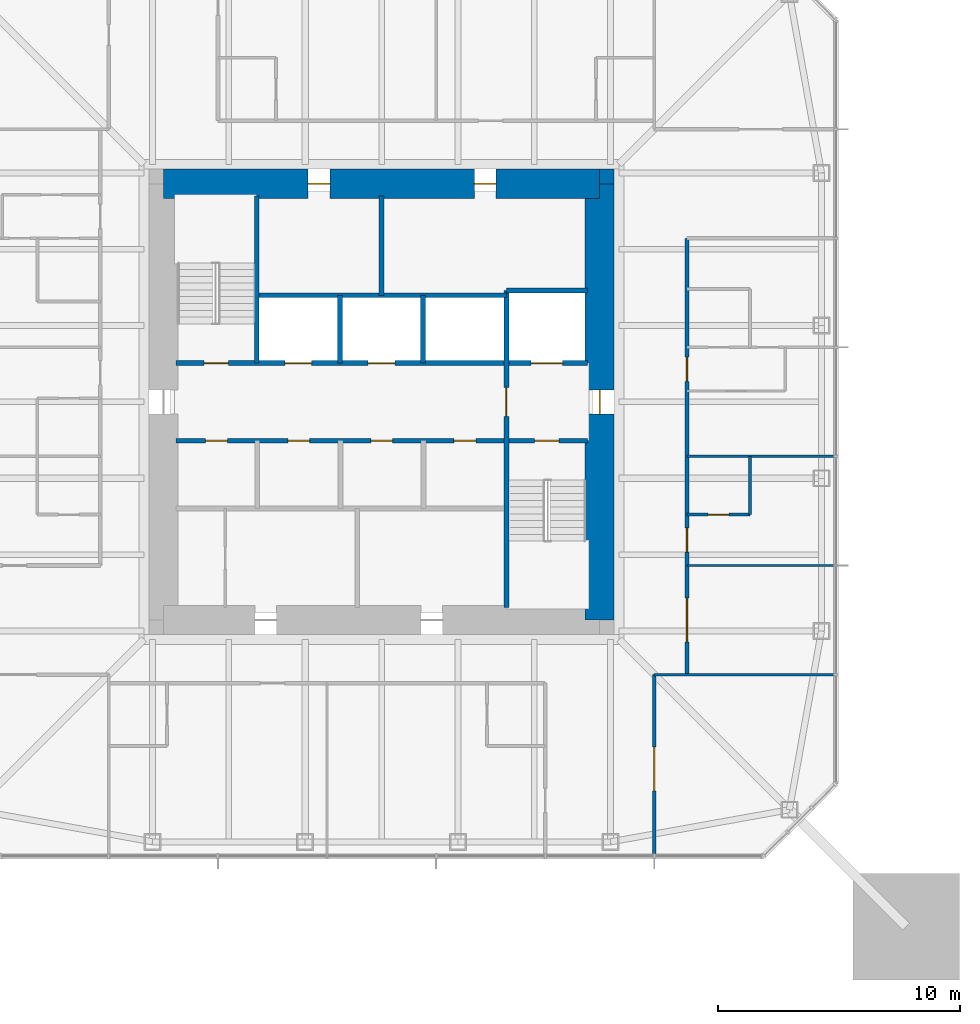
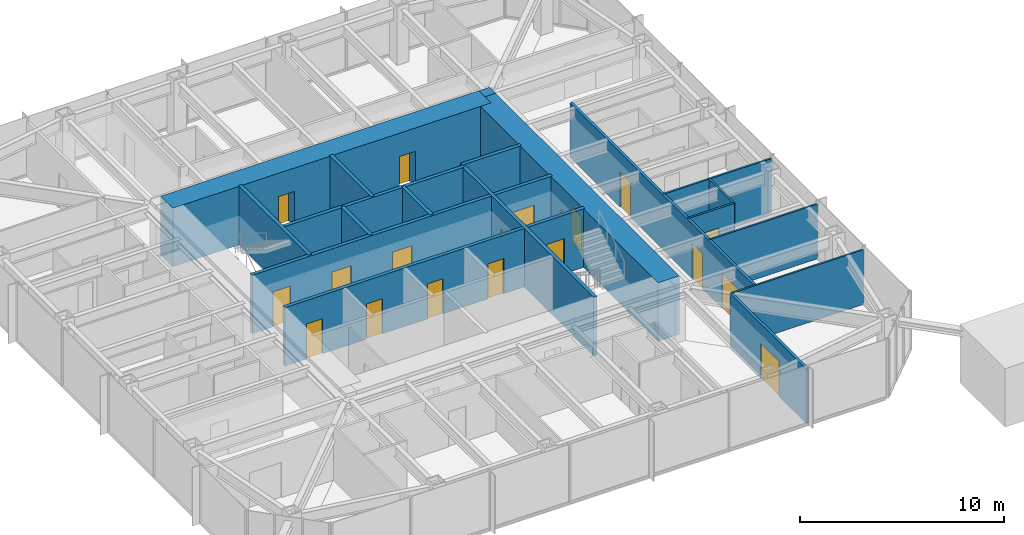
# One storey, part 7 of 11: 19 walls, 18 doors, 18 openings.
"""IFC4 building model written with IfcOpenShell, lengths in metres."""

from ifc_helpers import new_model, si_unit, direction, frame, frame_2d, origin, place, context, subcontext, project, spatial, rectangle, extrude, material, layer, layer_set, type_object, element, fill, save


model = new_model("IFC4")

# Units and contexts
model_context = context("Model", 3, precision=1e-05, world=origin(), true_north=direction((0.0, 1.0)))
body_context = subcontext(model_context, "Body", "Model", "MODEL_VIEW")
ifc_project = project(units=[si_unit("LENGTHUNIT", "METRE"), si_unit("AREAUNIT", "SQUARE_METRE"), si_unit("VOLUMEUNIT", "CUBIC_METRE"), si_unit("PLANEANGLEUNIT", "RADIAN"), si_unit("MASSUNIT", "GRAM", prefix="KILO")], contexts=[model_context])

# Site, building, storey
site_placement = place(None, origin())
site = spatial("IfcSite", under=ifc_project, at=site_placement, CompositionType="ELEMENT")
building_placement = place(site_placement, origin())
building = spatial("IfcBuilding", under=site, at=building_placement, Name="Iwan Alto Co-Living Towers", CompositionType="ELEMENT")
storey_placement = place(building_placement, frame((0.0, 0.0, 202.0)))
storey = spatial("IfcBuildingStorey", under=building, at=storey_placement, Name="L55", CompositionType="ELEMENT", Elevation=202.0)

# Wall, openings, doors
ifc_material_1 = material(Name="Gypsum board")
ifc_layer_1 = layer(ifc_material_1, 0.02490234375, Name="Board", Category="Finish")
ifc_material_2 = material(Name="Steel ASTM A1003 ST33H cold-formed studs", Category="steel")
ifc_layer_2 = layer(ifc_material_2, 0.10009765625, Name="Studs", Category="Framing")
ifc_layer_3 = layer(ifc_material_1, 0.02490234375, Name="Board", Category="Finish")
ifc_layer_set_1 = layer_set([ifc_layer_1, ifc_layer_2, ifc_layer_3], Name="CORRIDOR WALL 150")
wall_type_1 = type_object("IfcWallType", Name="CORRIDOR WALL 150", PredefinedType="PARTITIONING", material=ifc_layer_set_1)
wall_1_placement = place(storey_placement, frame((12.60009765625, -11.25, 0.0), z_axis=(0.0, 0.0, 1.0), x_axis=(0.0, 1.0, 0.0)))
wall_1 = element("IfcWall", 1, at=wall_1_placement, inside=storey, type_object=wall_type_1, Name="Partition L55", PredefinedType="PARTITIONING", context=body_context, shape_type="SweptSolid", body=[
    extrude(rectangle(XDim=18.0, YDim=0.14990234375, at=frame_2d((9.0, 0.0))), origin(), (0.0, 0.0, 1.0), 3.27001953125),
])
opening_1_placement = place(wall_1_placement, frame((1.35009765625, 0.0, 0.0)))
opening_1 = element("IfcOpeningElement", 2, at=opening_1_placement, cuts=wall_1, Name="Opening D9", PredefinedType="OPENING", context=body_context, shape_type="SweptSolid", body=[
    extrude(rectangle(XDim=1.800048828125, YDim=2.10009765625, at=frame_2d((0.89990234375, 1.050048828125))), frame((0.0, 0.0849609375, 0.0), z_axis=(0.0, -1.0, 0.0), x_axis=(1.0, 0.0, 0.0)), (0.0, 0.0, 1.0), 0.169921875),
])
opening_2_placement = place(wall_1_placement, frame((5.050048828125, 0.0, 0.0)))
opening_2 = element("IfcOpeningElement", 3, at=opening_2_placement, cuts=wall_1, Name="Opening D3", PredefinedType="OPENING", context=body_context, shape_type="SweptSolid", body=[
    extrude(rectangle(XDim=1.0, YDim=2.10009765625, at=frame_2d((0.5, 1.050048828125))), frame((0.0, 0.0849609375, 0.0), z_axis=(0.0, -1.0, 0.0), x_axis=(1.0, 0.0, 0.0)), (0.0, 0.0, 1.0), 0.169921875),
])
opening_3_placement = place(wall_1_placement, frame((12.10009765625, 0.0, 0.0)))
opening_3 = element("IfcOpeningElement", 4, at=opening_3_placement, cuts=wall_1, Name="Opening D3", PredefinedType="OPENING", context=body_context, shape_type="SweptSolid", body=[
    extrude(rectangle(XDim=1.0, YDim=2.10009765625, at=frame_2d((0.5, 1.050048828125))), frame((0.0, 0.0849609375, 0.0), z_axis=(0.0, -1.0, 0.0), x_axis=(1.0, 0.0, 0.0)), (0.0, 0.0, 1.0), 0.169921875),
])
ifc_material_3 = material(Name="Steel frame with timber leaf", Category="steel")
door_type_1 = type_object("IfcDoorType", Name="FLAT ENTRANCE DOOR FD30S 1000X2100", OperationType="SINGLE_SWING_LEFT", PredefinedType="DOOR", material=ifc_material_3)
door_1_placement = place(opening_2_placement, frame((1.0, 0.0, 0.0), z_axis=(0.0, 0.0, 1.0), x_axis=(-1.0, 0.0, 0.0)))
door_1 = element("IfcDoor", 5, at=door_1_placement, inside=storey, type_object=door_type_1, Name="Studio door L55", OperationType="SINGLE_SWING_RIGHT", OverallHeight=2.10009765625, OverallWidth=1.0, PredefinedType="DOOR", context=body_context, shape_type="SweptSolid", body=[
    extrude(rectangle(XDim=1.0, YDim=2.10009765625, at=frame_2d((0.5, 1.050048828125))), frame((0.0, 0.02490234375, 0.0), z_axis=(0.0, -1.0, 0.0), x_axis=(1.0, 0.0, 0.0)), (0.0, 0.0, 1.0), 0.050048828125),
])
fill(opening_2, door_1)
door_2_placement = place(opening_3_placement, frame((1.0, 0.0, 0.0), z_axis=(0.0, 0.0, 1.0), x_axis=(-1.0, 0.0, 0.0)))
door_2 = element("IfcDoor", 6, at=door_2_placement, inside=storey, type_object=door_type_1, Name="Apartment foyer door L55", OperationType="SINGLE_SWING_RIGHT", OverallHeight=2.10009765625, OverallWidth=1.0, PredefinedType="DOOR", context=body_context, shape_type="SweptSolid", body=[
    extrude(rectangle(XDim=1.0, YDim=2.10009765625, at=frame_2d((0.5, 1.050048828125))), frame((0.0, 0.02490234375, 0.0), z_axis=(0.0, -1.0, 0.0), x_axis=(1.0, 0.0, 0.0)), (0.0, 0.0, 1.0), 0.050048828125),
])
fill(opening_3, door_2)
ifc_material_4 = material(Name="Steel frame with timber leaf", Category="steel")
door_type_2 = type_object("IfcDoorType", Name="LOUNGE DOOR FD30S 1800X2100", OperationType="DOUBLE_DOOR_SINGLE_SWING", PredefinedType="DOOR", material=ifc_material_4)
door_3_placement = place(opening_1_placement, frame((1.800048828125, 0.0, 0.0), z_axis=(0.0, 0.0, 1.0), x_axis=(-1.0, 0.0, 0.0)))
door_3 = element("IfcDoor", 7, at=door_3_placement, inside=storey, type_object=door_type_2, Name="Teaching kitchen door L55", OperationType="DOUBLE_DOOR_SINGLE_SWING", OverallHeight=2.10009765625, OverallWidth=1.800048828125, PredefinedType="DOOR", context=body_context, shape_type="SweptSolid", body=[
    extrude(rectangle(XDim=1.800048828125, YDim=2.10009765625, at=frame_2d((0.89990234375, 1.050048828125))), frame((0.0, 0.02490234375, 0.0), z_axis=(0.0, -1.0, 0.0), x_axis=(1.0, 0.0, 0.0)), (0.0, 0.0, 1.0), 0.050048828125),
])
fill(opening_1, door_3)

# Wall, opening, door
wall_2_placement = place(storey_placement, frame((11.25, -18.68994140625, 0.0), z_axis=(0.0, 0.0, 1.0), x_axis=(0.0, 1.0, 0.0)))
wall_2 = element("IfcWall", 8, at=wall_2_placement, inside=storey, type_object=wall_type_1, Name="Partition L55", PredefinedType="PARTITIONING", context=body_context, shape_type="SweptSolid", body=[
    extrude(rectangle(XDim=7.43994140625, YDim=0.14990234375, at=frame_2d((3.719970703125, 0.0))), origin(), (0.0, 0.0, 1.0), 3.27001953125),
])
opening_4_placement = place(wall_2_placement, frame((2.64501953125, 0.0, 0.0)))
opening_4 = element("IfcOpeningElement", 9, at=opening_4_placement, cuts=wall_2, Name="Opening D9", PredefinedType="OPENING", context=body_context, shape_type="SweptSolid", body=[
    extrude(rectangle(XDim=1.800048828125, YDim=2.10009765625, at=frame_2d((0.89990234375, 1.050048828125))), frame((0.0, 0.0849609375, 0.0), z_axis=(0.0, -1.0, 0.0), x_axis=(1.0, 0.0, 0.0)), (0.0, 0.0, 1.0), 0.169921875),
])
door_4_placement = place(opening_4_placement, frame((1.800048828125, 0.0, 0.0), z_axis=(0.0, 0.0, 1.0), x_axis=(-1.0, 0.0, 0.0)))
door_4 = element("IfcDoor", 10, at=door_4_placement, inside=storey, type_object=door_type_2, Name="Courtyard lounge door L55", OperationType="DOUBLE_DOOR_SINGLE_SWING", OverallHeight=2.10009765625, OverallWidth=1.800048828125, PredefinedType="DOOR", context=body_context, shape_type="SweptSolid", body=[
    extrude(rectangle(XDim=1.800048828125, YDim=2.10009765625, at=frame_2d((0.89990234375, 1.050048828125))), frame((0.0, 0.02490234375, 0.0), z_axis=(0.0, -1.0, 0.0), x_axis=(1.0, 0.0, 0.0)), (0.0, 0.0, 1.0), 0.050048828125),
])
fill(opening_4, door_4)

# Walls
ifc_layer_4 = layer(ifc_material_1, 0.012451171875, Name="Board", Category="Finish")
ifc_layer_5 = layer(ifc_material_2, 0.074951171875, Name="Studs", Category="Framing")
ifc_layer_6 = layer(ifc_material_1, 0.012451171875, Name="Board", Category="Finish")
ifc_layer_set_2 = layer_set([ifc_layer_4, ifc_layer_5, ifc_layer_6], Name="PARTITION 100")
wall_type_2 = type_object("IfcWallType", Name="PARTITION 100", PredefinedType="PARTITIONING", material=ifc_layer_set_2)
wall_3_placement = place(storey_placement, frame((11.25, -11.25, 0.0), z_axis=(0.0, 0.0, 1.0), x_axis=(1.0, 0.0, 0.0)))
element("IfcWall", 11, at=wall_3_placement, inside=storey, type_object=wall_type_2, Name="Partition L55", PredefinedType="PARTITIONING", context=body_context, shape_type="SweptSolid", body=[
    extrude(rectangle(XDim=7.43994140625, YDim=0.10009765625, at=frame_2d((3.719970703125, 0.0))), origin(), (0.0, 0.0, 1.0), 3.27001953125),
])
for number, where, z_axis, x_axis, name in (
    (12, (12.60009765625, -6.75, 0.0), (0.0, 0.0, 1.0), (1.0, 0.0, 0.0), "Partition L55"),
    (13, (12.60009765625, -2.25, 0.0), (0.0, 0.0, 1.0), (1.0, 0.0, 0.0), "Partition L55"),
):
    element("IfcWall", number, at=place(storey_placement, frame(where, z_axis=z_axis, x_axis=x_axis)), inside=storey, type_object=wall_type_2, Name=name, PredefinedType="PARTITIONING", context=body_context, shape_type="SweptSolid", body=[
        extrude(rectangle(XDim=6.08984375, YDim=0.10009765625, at=frame_2d((3.044921875, 0.0))), origin(), (0.0, 0.0, 1.0), 3.27001953125),
    ])

# Wall, openings, doors
ifc_material_5 = material(Name="Concrete f'c 70 MPa", Category="concrete")
ifc_layer_7 = layer(ifc_material_5, 0.199951171875)
ifc_layer_set_3 = layer_set([ifc_layer_7], Name="SHAFT WALL 200")
wall_type_3 = type_object("IfcWallType", Name="SHAFT WALL 200", PredefinedType="SOLIDWALL", material=ifc_layer_set_3)
wall_4_placement = place(storey_placement, frame((-8.489990234375, -1.60009765625, 0.0), z_axis=(0.0, 0.0, 1.0), x_axis=(1.0, 0.0, 0.0)))
wall_4 = element("IfcWall", 14, at=wall_4_placement, inside=storey, type_object=wall_type_3, Name="Shaft wall L55", PredefinedType="SOLIDWALL", context=body_context, shape_type="SweptSolid", body=[
    extrude(rectangle(XDim=16.97998046875, YDim=0.199951171875, at=frame_2d((8.489990234375, 0.0))), origin(), (0.0, 0.0, 1.0), 3.5),
])
opening_5_placement = place(wall_4_placement, frame((14.81005859375, 0.0, 0.0)))
opening_5 = element("IfcOpeningElement", 15, at=opening_5_placement, cuts=wall_4, Name="Opening D5", PredefinedType="OPENING", context=body_context, shape_type="SweptSolid", body=[
    extrude(rectangle(XDim=1.0, YDim=2.10009765625, at=frame_2d((0.5, 1.050048828125))), frame((0.0, 0.10986328125, 0.0), z_axis=(0.0, -1.0, 0.0), x_axis=(1.0, 0.0, 0.0)), (0.0, 0.0, 1.0), 0.219970703125),
])
opening_6_placement = place(wall_4_placement, frame((1.23193359375, 0.0, 0.0)))
opening_6 = element("IfcOpeningElement", 16, at=opening_6_placement, cuts=wall_4, Name="Opening D15", PredefinedType="OPENING", context=body_context, shape_type="SweptSolid", body=[
    extrude(rectangle(XDim=0.89990234375, YDim=2.10009765625, at=frame_2d((0.449951171875, 1.050048828125))), frame((0.0, 0.10986328125, 0.0), z_axis=(0.0, -1.0, 0.0), x_axis=(1.0, 0.0, 0.0)), (0.0, 0.0, 1.0), 0.219970703125),
])
opening_7_placement = place(wall_4_placement, frame((4.626953125, 0.0, 0.0)))
opening_7 = element("IfcOpeningElement", 17, at=opening_7_placement, cuts=wall_4, Name="Opening D15", PredefinedType="OPENING", context=body_context, shape_type="SweptSolid", body=[
    extrude(rectangle(XDim=0.89990234375, YDim=2.10009765625, at=frame_2d((0.449951171875, 1.050048828125))), frame((0.0, 0.10986328125, 0.0), z_axis=(0.0, -1.0, 0.0), x_axis=(1.0, 0.0, 0.0)), (0.0, 0.0, 1.0), 0.219970703125),
])
opening_8_placement = place(wall_4_placement, frame((8.052001953125, 0.0, 0.0)))
opening_8 = element("IfcOpeningElement", 18, at=opening_8_placement, cuts=wall_4, Name="Opening D15", PredefinedType="OPENING", context=body_context, shape_type="SweptSolid", body=[
    extrude(rectangle(XDim=0.89990234375, YDim=2.10009765625, at=frame_2d((0.449951171875, 1.050048828125))), frame((0.0, 0.10986328125, 0.0), z_axis=(0.0, -1.0, 0.0), x_axis=(1.0, 0.0, 0.0)), (0.0, 0.0, 1.0), 0.219970703125),
])
opening_9_placement = place(wall_4_placement, frame((11.47802734375, 0.0, 0.0)))
opening_9 = element("IfcOpeningElement", 19, at=opening_9_placement, cuts=wall_4, Name="Opening D15", PredefinedType="OPENING", context=body_context, shape_type="SweptSolid", body=[
    extrude(rectangle(XDim=0.89990234375, YDim=2.10009765625, at=frame_2d((0.449951171875, 1.050048828125))), frame((0.0, 0.10986328125, 0.0), z_axis=(0.0, -1.0, 0.0), x_axis=(1.0, 0.0, 0.0)), (0.0, 0.0, 1.0), 0.219970703125),
])
ifc_material_6 = material(Name="Steel frame with timber leaf", Category="steel")
door_type_3 = type_object("IfcDoorType", Name="CORE ROOM DOOR FD60S 900X2100", OperationType="SINGLE_SWING_LEFT", PredefinedType="DOOR", material=ifc_material_6)
door_5_placement = place(opening_6_placement, frame((0.89990234375, 0.0, 0.0), z_axis=(0.0, 0.0, 1.0), x_axis=(-1.0, 0.0, 0.0)))
door_5 = element("IfcDoor", 20, at=door_5_placement, inside=storey, type_object=door_type_3, Name="Linen store door L55", OperationType="SINGLE_SWING_LEFT", OverallHeight=2.10009765625, OverallWidth=0.89990234375, PredefinedType="DOOR", context=body_context, shape_type="SweptSolid", body=[
    extrude(rectangle(XDim=0.89990234375, YDim=2.10009765625, at=frame_2d((0.449951171875, 1.050048828125))), frame((0.0, 0.02490234375, 0.0), z_axis=(0.0, -1.0, 0.0), x_axis=(1.0, 0.0, 0.0)), (0.0, 0.0, 1.0), 0.050048828125),
])
fill(opening_6, door_5)
door_6_placement = place(opening_7_placement, frame((0.89990234375, 0.0, 0.0), z_axis=(0.0, 0.0, 1.0), x_axis=(-1.0, 0.0, 0.0)))
door_6 = element("IfcDoor", 21, at=door_6_placement, inside=storey, type_object=door_type_3, Name="Linen store door L55", OperationType="SINGLE_SWING_RIGHT", OverallHeight=2.10009765625, OverallWidth=0.89990234375, PredefinedType="DOOR", context=body_context, shape_type="SweptSolid", body=[
    extrude(rectangle(XDim=0.89990234375, YDim=2.10009765625, at=frame_2d((0.449951171875, 1.050048828125))), frame((0.0, 0.02490234375, 0.0), z_axis=(0.0, -1.0, 0.0), x_axis=(1.0, 0.0, 0.0)), (0.0, 0.0, 1.0), 0.050048828125),
])
fill(opening_7, door_6)
door_7_placement = place(opening_8_placement, frame((0.89990234375, 0.0, 0.0), z_axis=(0.0, 0.0, 1.0), x_axis=(-1.0, 0.0, 0.0)))
door_7 = element("IfcDoor", 22, at=door_7_placement, inside=storey, type_object=door_type_3, Name="Linen and housekeeping store door L55", OperationType="SINGLE_SWING_RIGHT", OverallHeight=2.10009765625, OverallWidth=0.89990234375, PredefinedType="DOOR", context=body_context, shape_type="SweptSolid", body=[
    extrude(rectangle(XDim=0.89990234375, YDim=2.10009765625, at=frame_2d((0.449951171875, 1.050048828125))), frame((0.0, 0.02490234375, 0.0), z_axis=(0.0, -1.0, 0.0), x_axis=(1.0, 0.0, 0.0)), (0.0, 0.0, 1.0), 0.050048828125),
])
fill(opening_8, door_7)
door_8_placement = place(opening_9_placement, frame((0.89990234375, 0.0, 0.0), z_axis=(0.0, 0.0, 1.0), x_axis=(-1.0, 0.0, 0.0)))
door_8 = element("IfcDoor", 23, at=door_8_placement, inside=storey, type_object=door_type_3, Name="Staff WC door L55", OperationType="SINGLE_SWING_RIGHT", OverallHeight=2.10009765625, OverallWidth=0.89990234375, PredefinedType="DOOR", context=body_context, shape_type="SweptSolid", body=[
    extrude(rectangle(XDim=0.89990234375, YDim=2.10009765625, at=frame_2d((0.449951171875, 1.050048828125))), frame((0.0, 0.02490234375, 0.0), z_axis=(0.0, -1.0, 0.0), x_axis=(1.0, 0.0, 0.0)), (0.0, 0.0, 1.0), 0.050048828125),
])
fill(opening_9, door_8)
ifc_material_7 = material(Name="Steel frame with timber leaf", Category="steel")
door_type_4 = type_object("IfcDoorType", Name="STAIR DOOR FD120S 1000X2100", OperationType="SINGLE_SWING_LEFT", PredefinedType="DOOR", material=ifc_material_7)
door_9_placement = place(opening_5_placement, frame((1.0, 0.0, 0.0), z_axis=(0.0, 0.0, 1.0), x_axis=(-1.0, 0.0, 0.0)))
door_9 = element("IfcDoor", 24, at=door_9_placement, inside=storey, type_object=door_type_4, Name="Stair S2 door L55", OperationType="SINGLE_SWING_RIGHT", OverallHeight=2.10009765625, OverallWidth=1.0, PredefinedType="DOOR", context=body_context, shape_type="SweptSolid", body=[
    extrude(rectangle(XDim=1.0, YDim=2.10009765625, at=frame_2d((0.5, 1.050048828125))), frame((0.0, 0.02490234375, 0.0), z_axis=(0.0, -1.0, 0.0), x_axis=(1.0, 0.0, 0.0)), (0.0, 0.0, 1.0), 0.050048828125),
])
fill(opening_5, door_9)

wall_5_placement = place(storey_placement, frame((-8.489990234375, 1.60009765625, 0.0), z_axis=(0.0, 0.0, 1.0), x_axis=(1.0, 0.0, 0.0)))
wall_5 = element("IfcWall", 25, at=wall_5_placement, inside=storey, type_object=wall_type_3, Name="Shaft wall L55", PredefinedType="SOLIDWALL", context=body_context, shape_type="SweptSolid", body=[
    extrude(rectangle(XDim=16.97998046875, YDim=0.199951171875, at=frame_2d((8.489990234375, 0.0))), origin(), (0.0, 0.0, 1.0), 3.5),
])
opening_10_placement = place(wall_5_placement, frame((1.169921875, 0.0, 0.0)))
opening_10 = element("IfcOpeningElement", 26, at=opening_10_placement, cuts=wall_5, Name="Opening D5", PredefinedType="OPENING", context=body_context, shape_type="SweptSolid", body=[
    extrude(rectangle(XDim=1.0, YDim=2.10009765625, at=frame_2d((0.5, 1.050048828125))), frame((0.0, 0.10986328125, 0.0), z_axis=(0.0, -1.0, 0.0), x_axis=(1.0, 0.0, 0.0)), (0.0, 0.0, 1.0), 0.219970703125),
])
opening_11_placement = place(wall_5_placement, frame((4.506103515625, 0.0, 0.0)))
opening_11 = element("IfcOpeningElement", 27, at=opening_11_placement, cuts=wall_5, Name="Opening LD", PredefinedType="OPENING", context=body_context, shape_type="SweptSolid", body=[
    extrude(rectangle(XDim=1.10009765625, YDim=2.10009765625, at=frame_2d((0.550048828125, 1.050048828125))), frame((0.0, 0.10986328125, 0.0), z_axis=(0.0, -1.0, 0.0), x_axis=(1.0, 0.0, 0.0)), (0.0, 0.0, 1.0), 0.219970703125),
])
opening_12_placement = place(wall_5_placement, frame((7.93994140625, 0.0, 0.0)))
opening_12 = element("IfcOpeningElement", 28, at=opening_12_placement, cuts=wall_5, Name="Opening LD", PredefinedType="OPENING", context=body_context, shape_type="SweptSolid", body=[
    extrude(rectangle(XDim=1.10009765625, YDim=2.10009765625, at=frame_2d((0.550048828125, 1.050048828125))), frame((0.0, 0.10986328125, 0.0), z_axis=(0.0, -1.0, 0.0), x_axis=(1.0, 0.0, 0.0)), (0.0, 0.0, 1.0), 0.219970703125),
])
opening_13_placement = place(wall_5_placement, frame((14.659912109375, 0.0, 0.0)))
opening_13 = element("IfcOpeningElement", 29, at=opening_13_placement, cuts=wall_5, Name="Opening LD2", PredefinedType="OPENING", context=body_context, shape_type="SweptSolid", body=[
    extrude(rectangle(XDim=1.300048828125, YDim=2.10009765625, at=frame_2d((0.64990234375, 1.050048828125))), frame((0.0, 0.10986328125, 0.0), z_axis=(0.0, -1.0, 0.0), x_axis=(1.0, 0.0, 0.0)), (0.0, 0.0, 1.0), 0.219970703125),
])
ifc_material_8 = material(Name="Steel frame with timber leaf", Category="steel")
door_type_5 = type_object("IfcDoorType", Name="LIFT LANDING DOOR 1100X2100", OperationType="DOUBLE_DOOR_SLIDING", PredefinedType="DOOR", material=ifc_material_8)
door_10_placement = place(opening_11_placement, origin())
door_10 = element("IfcDoor", 30, at=door_10_placement, inside=storey, type_object=door_type_5, Name="Lift P3-1 landing door L55", OperationType="DOUBLE_DOOR_SLIDING", OverallHeight=2.10009765625, OverallWidth=1.10009765625, PredefinedType="DOOR", context=body_context, shape_type="SweptSolid", body=[
    extrude(rectangle(XDim=1.10009765625, YDim=2.10009765625, at=frame_2d((0.550048828125, 1.050048828125))), frame((0.0, 0.02490234375, 0.0), z_axis=(0.0, -1.0, 0.0), x_axis=(1.0, 0.0, 0.0)), (0.0, 0.0, 1.0), 0.050048828125),
])
fill(opening_11, door_10)
door_11_placement = place(opening_12_placement, origin())
door_11 = element("IfcDoor", 31, at=door_11_placement, inside=storey, type_object=door_type_5, Name="Lift P3-2 landing door L55", OperationType="DOUBLE_DOOR_SLIDING", OverallHeight=2.10009765625, OverallWidth=1.10009765625, PredefinedType="DOOR", context=body_context, shape_type="SweptSolid", body=[
    extrude(rectangle(XDim=1.10009765625, YDim=2.10009765625, at=frame_2d((0.550048828125, 1.050048828125))), frame((0.0, 0.02490234375, 0.0), z_axis=(0.0, -1.0, 0.0), x_axis=(1.0, 0.0, 0.0)), (0.0, 0.0, 1.0), 0.050048828125),
])
fill(opening_12, door_11)
ifc_material_9 = material(Name="Steel frame with timber leaf", Category="steel")
door_type_6 = type_object("IfcDoorType", Name="LIFT LANDING DOOR 1300X2100", OperationType="SLIDING_TO_LEFT", PredefinedType="DOOR", material=ifc_material_9)
door_12_placement = place(opening_13_placement, origin())
door_12 = element("IfcDoor", 32, at=door_12_placement, inside=storey, type_object=door_type_6, Name="Lift FL1 landing door L55", OperationType="SLIDING_TO_LEFT", OverallHeight=2.10009765625, OverallWidth=1.300048828125, PredefinedType="DOOR", context=body_context, shape_type="SweptSolid", body=[
    extrude(rectangle(XDim=1.300048828125, YDim=2.10009765625, at=frame_2d((0.64990234375, 1.050048828125))), frame((0.0, 0.02490234375, 0.0), z_axis=(0.0, -1.0, 0.0), x_axis=(1.0, 0.0, 0.0)), (0.0, 0.0, 1.0), 0.050048828125),
])
fill(opening_13, door_12)
door_13_placement = place(opening_10_placement, origin())
door_13 = element("IfcDoor", 33, at=door_13_placement, inside=storey, type_object=door_type_4, Name="Stair S1 door L55", OperationType="SINGLE_SWING_RIGHT", OverallHeight=2.10009765625, OverallWidth=1.0, PredefinedType="DOOR", context=body_context, shape_type="SweptSolid", body=[
    extrude(rectangle(XDim=1.0, YDim=2.10009765625, at=frame_2d((0.5, 1.050048828125))), frame((0.0, 0.02490234375, 0.0), z_axis=(0.0, -1.0, 0.0), x_axis=(1.0, 0.0, 0.0)), (0.0, 0.0, 1.0), 0.050048828125),
])
fill(opening_10, door_13)

# Walls
wall_6_placement = place(storey_placement, frame((-5.14990234375, 4.39990234375, 0.0), z_axis=(0.0, 0.0, 1.0), x_axis=(1.0, 0.0, 0.0)))
element("IfcWall", 34, at=wall_6_placement, inside=storey, type_object=wall_type_3, Name="Shaft wall L55", PredefinedType="SOLIDWALL", context=body_context, shape_type="SweptSolid", body=[
    extrude(rectangle(XDim=10.2998046875, YDim=0.199951171875, at=frame_2d((5.14990234375, 0.0))), origin(), (0.0, 0.0, 1.0), 3.5),
])
wall_7_placement = place(storey_placement, frame((5.14990234375, 4.60009765625, 0.0), z_axis=(0.0, 0.0, 1.0), x_axis=(1.0, 0.0, 0.0)))
element("IfcWall", 35, at=wall_7_placement, inside=storey, type_object=wall_type_3, Name="Shaft wall L55", PredefinedType="SOLIDWALL", context=body_context, shape_type="SweptSolid", body=[
    extrude(rectangle(XDim=3.340087890625, YDim=0.199951171875, at=frame_2d((1.669921875, 0.0))), origin(), (0.0, 0.0, 1.0), 3.5),
])

# Wall, opening, door
wall_8_placement = place(storey_placement, frame((5.14990234375, -8.489990234375, 0.0), z_axis=(0.0, 0.0, 1.0), x_axis=(0.0, 1.0, 0.0)))
wall_8 = element("IfcWall", 36, at=wall_8_placement, inside=storey, type_object=wall_type_3, Name="Shaft wall L55", PredefinedType="SOLIDWALL", context=body_context, shape_type="SweptSolid", body=[
    extrude(rectangle(XDim=13.090087890625, YDim=0.199951171875, at=frame_2d((6.544921875, 0.0))), origin(), (0.0, 0.0, 1.0), 3.5),
])
opening_14_placement = place(wall_8_placement, frame((7.889892578125, 0.0, 0.0)))
opening_14 = element("IfcOpeningElement", 37, at=opening_14_placement, cuts=wall_8, Name="Opening D6", PredefinedType="OPENING", context=body_context, shape_type="SweptSolid", body=[
    extrude(rectangle(XDim=1.199951171875, YDim=2.10009765625, at=frame_2d((0.60009765625, 1.050048828125))), frame((0.0, 0.10986328125, 0.0), z_axis=(0.0, -1.0, 0.0), x_axis=(1.0, 0.0, 0.0)), (0.0, 0.0, 1.0), 0.219970703125),
])
ifc_material_10 = material(Name="Steel frame with timber leaf", Category="steel")
door_type_7 = type_object("IfcDoorType", Name="LOBBY DOOR FD120S 1200X2100", OperationType="SINGLE_SWING_LEFT", PredefinedType="DOOR", material=ifc_material_10)
door_14_placement = place(opening_14_placement, frame((1.199951171875, 0.0, 0.0), z_axis=(0.0, 0.0, 1.0), x_axis=(-1.0, 0.0, 0.0)))
door_14 = element("IfcDoor", 38, at=door_14_placement, inside=storey, type_object=door_type_7, Name="Firefighting lobby door L55", OperationType="SINGLE_SWING_RIGHT", OverallHeight=2.10009765625, OverallWidth=1.199951171875, PredefinedType="DOOR", context=body_context, shape_type="SweptSolid", body=[
    extrude(rectangle(XDim=1.199951171875, YDim=2.10009765625, at=frame_2d((0.60009765625, 1.050048828125))), frame((0.0, 0.02490234375, 0.0), z_axis=(0.0, -1.0, 0.0), x_axis=(1.0, 0.0, 0.0)), (0.0, 0.0, 1.0), 0.050048828125),
])
fill(opening_14, door_14)

# Walls
wall_9_placement = place(storey_placement, frame((1.717041015625, 1.60009765625, 0.0), z_axis=(0.0, 0.0, 1.0), x_axis=(0.0, 1.0, 0.0)))
element("IfcWall", 39, at=wall_9_placement, inside=storey, type_object=wall_type_3, Name="Shaft wall L55", PredefinedType="SOLIDWALL", context=body_context, shape_type="SweptSolid", body=[
    extrude(rectangle(XDim=2.7998046875, YDim=0.199951171875, at=frame_2d((1.39990234375, 0.0))), origin(), (0.0, 0.0, 1.0), 3.5),
])
wall_10_placement = place(storey_placement, frame((0.0, 4.39990234375, 0.0), z_axis=(0.0, 0.0, 1.0), x_axis=(0.0, 1.0, 0.0)))
element("IfcWall", 40, at=wall_10_placement, inside=storey, type_object=wall_type_3, Name="Shaft wall L55", PredefinedType="SOLIDWALL", context=body_context, shape_type="SweptSolid", body=[
    extrude(rectangle(XDim=4.090087890625, YDim=0.199951171875, at=frame_2d((2.044921875, 0.0))), origin(), (0.0, 0.0, 1.0), 3.5),
])
wall_11_placement = place(storey_placement, frame((-1.717041015625, 1.60009765625, 0.0), z_axis=(0.0, 0.0, 1.0), x_axis=(0.0, 1.0, 0.0)))
element("IfcWall", 41, at=wall_11_placement, inside=storey, type_object=wall_type_3, Name="Shaft wall L55", PredefinedType="SOLIDWALL", context=body_context, shape_type="SweptSolid", body=[
    extrude(rectangle(XDim=2.7998046875, YDim=0.199951171875, at=frame_2d((1.39990234375, 0.0))), origin(), (0.0, 0.0, 1.0), 3.5),
])
wall_12_placement = place(storey_placement, frame((-5.14990234375, 1.60009765625, 0.0), z_axis=(0.0, 0.0, 1.0), x_axis=(0.0, 1.0, 0.0)))
element("IfcWall", 42, at=wall_12_placement, inside=storey, type_object=wall_type_3, Name="Shaft wall L55", PredefinedType="SOLIDWALL", context=body_context, shape_type="SweptSolid", body=[
    extrude(rectangle(XDim=6.889892578125, YDim=0.199951171875, at=frame_2d((3.44482421875, 0.0))), origin(), (0.0, 0.0, 1.0), 3.5),
])
ifc_material_11 = material(Name="Concrete f'c 70 MPa", Category="concrete")
ifc_layer_8 = layer(ifc_material_11, 0.60009765625)
ifc_layer_set_4 = layer_set([ifc_layer_8], Name="T1 CORE CORNER FILL 600")
wall_type_4 = type_object("IfcWallType", Name="T1 CORE CORNER FILL 600", PredefinedType="SOLIDWALL", material=ifc_layer_set_4)
wall_13_placement = place(storey_placement, frame((9.0, 9.300048828125, 0.0), z_axis=(0.0, 0.0, 1.0), x_axis=(1.0, 0.0, 0.0)))
element("IfcWall", 43, at=wall_13_placement, inside=storey, type_object=wall_type_4, Name="T1 core corner NE L55", PredefinedType="SOLIDWALL", context=body_context, shape_type="SweptSolid", body=[
    extrude(rectangle(XDim=0.60009765625, YDim=0.60009765625, at=frame_2d((0.300048828125, 0.0))), origin(), (0.0, 0.0, 1.0), 3.5),
])

# Wall, openings, doors
ifc_material_12 = material(Name="Concrete f'c 70 MPa", Category="concrete")
ifc_layer_9 = layer(ifc_material_12, 1.199951171875)
ifc_layer_set_5 = layer_set([ifc_layer_9], Name="T1 CORE WALL 1200")
wall_type_5 = type_object("IfcWallType", Name="T1 CORE WALL 1200", PredefinedType="SHEAR", material=ifc_layer_set_5)
wall_14_placement = place(storey_placement, frame((9.0, 9.0, 0.0), z_axis=(0.0, 0.0, 1.0), x_axis=(-1.0, 0.0, 0.0)))
wall_14 = element("IfcWall", 44, at=wall_14_placement, inside=storey, type_object=wall_type_5, Name="T1 core wall N L55", PredefinedType="SHEAR", context=body_context, shape_type="SweptSolid", body=[
    extrude(rectangle(XDim=18.0, YDim=1.199951171875, at=frame_2d((9.0, 0.0))), origin(), (0.0, 0.0, 1.0), 3.5),
])
opening_15_placement = place(wall_14_placement, frame((11.125, 0.0, 0.0)))
opening_15 = element("IfcOpeningElement", 45, at=opening_15_placement, cuts=wall_14, Name="Opening D8", PredefinedType="OPENING", context=body_context, shape_type="SweptSolid", body=[
    extrude(rectangle(XDim=0.89990234375, YDim=2.10009765625, at=frame_2d((0.449951171875, 1.050048828125))), frame((0.0, 0.60986328125, 0.0), z_axis=(0.0, -1.0, 0.0), x_axis=(1.0, 0.0, 0.0)), (0.0, 0.0, 1.0), 1.219970703125),
])
opening_16_placement = place(wall_14_placement, frame((4.27490234375, 0.0, 0.0)))
opening_16 = element("IfcOpeningElement", 46, at=opening_16_placement, cuts=wall_14, Name="Opening D8", PredefinedType="OPENING", context=body_context, shape_type="SweptSolid", body=[
    extrude(rectangle(XDim=0.89990234375, YDim=2.10009765625, at=frame_2d((0.449951171875, 1.050048828125))), frame((0.0, 0.60986328125, 0.0), z_axis=(0.0, -1.0, 0.0), x_axis=(1.0, 0.0, 0.0)), (0.0, 0.0, 1.0), 1.219970703125),
])
ifc_material_13 = material(Name="Steel frame with timber leaf", Category="steel")
door_type_8 = type_object("IfcDoorType", Name="RISER DOOR FD120 900X2100", OperationType="SINGLE_SWING_LEFT", PredefinedType="DOOR", material=ifc_material_13)
door_15_placement = place(opening_15_placement, origin())
door_15 = element("IfcDoor", 47, at=door_15_placement, inside=storey, type_object=door_type_8, Name="Electrical riser core door L55", OperationType="SINGLE_SWING_RIGHT", OverallHeight=2.10009765625, OverallWidth=0.89990234375, PredefinedType="DOOR", context=body_context, shape_type="SweptSolid", body=[
    extrude(rectangle(XDim=0.89990234375, YDim=2.10009765625, at=frame_2d((0.449951171875, 1.050048828125))), frame((0.0, 0.02490234375, 0.0), z_axis=(0.0, -1.0, 0.0), x_axis=(1.0, 0.0, 0.0)), (0.0, 0.0, 1.0), 0.050048828125),
])
fill(opening_15, door_15)
door_16_placement = place(opening_16_placement, origin())
door_16 = element("IfcDoor", 48, at=door_16_placement, inside=storey, type_object=door_type_8, Name="Water and drainage riser core door L55", OperationType="SINGLE_SWING_RIGHT", OverallHeight=2.10009765625, OverallWidth=0.89990234375, PredefinedType="DOOR", context=body_context, shape_type="SweptSolid", body=[
    extrude(rectangle(XDim=0.89990234375, YDim=2.10009765625, at=frame_2d((0.449951171875, 1.050048828125))), frame((0.0, 0.02490234375, 0.0), z_axis=(0.0, -1.0, 0.0), x_axis=(1.0, 0.0, 0.0)), (0.0, 0.0, 1.0), 0.050048828125),
])
fill(opening_16, door_16)

# Wall, opening, door
wall_15_placement = place(storey_placement, frame((9.0, -9.0, 0.0), z_axis=(0.0, 0.0, 1.0), x_axis=(0.0, 1.0, 0.0)))
wall_15 = element("IfcWall", 49, at=wall_15_placement, inside=storey, type_object=wall_type_5, Name="T1 core wall E L55", PredefinedType="SHEAR", context=body_context, shape_type="SweptSolid", body=[
    extrude(rectangle(XDim=18.0, YDim=1.199951171875, at=frame_2d((9.0, 0.0))), origin(), (0.0, 0.0, 1.0), 3.5),
])
opening_17_placement = place(wall_15_placement, frame((8.5, 0.0, 0.0)))
opening_17 = element("IfcOpeningElement", 50, at=opening_17_placement, cuts=wall_15, Name="Opening D7", PredefinedType="OPENING", context=body_context, shape_type="SweptSolid", body=[
    extrude(rectangle(XDim=1.0, YDim=2.10009765625, at=frame_2d((0.5, 1.050048828125))), frame((0.0, 0.60986328125, 0.0), z_axis=(0.0, -1.0, 0.0), x_axis=(1.0, 0.0, 0.0)), (0.0, 0.0, 1.0), 1.219970703125),
])
ifc_material_14 = material(Name="Steel frame with timber leaf", Category="steel")
door_type_9 = type_object("IfcDoorType", Name="CORE DOOR FD120S 1000X2100", OperationType="SINGLE_SWING_LEFT", PredefinedType="DOOR", material=ifc_material_14)
door_17_placement = place(opening_17_placement, origin())
door_17 = element("IfcDoor", 51, at=door_17_placement, inside=storey, type_object=door_type_9, Name="Firefighting lobby core door L55", OperationType="SINGLE_SWING_LEFT", OverallHeight=2.10009765625, OverallWidth=1.0, PredefinedType="DOOR", context=body_context, shape_type="SweptSolid", body=[
    extrude(rectangle(XDim=1.0, YDim=2.10009765625, at=frame_2d((0.5, 1.050048828125))), frame((0.0, 0.02490234375, 0.0), z_axis=(0.0, -1.0, 0.0), x_axis=(1.0, 0.0, 0.0)), (0.0, 0.0, 1.0), 0.050048828125),
])
fill(opening_17, door_17)

ifc_material_15 = material(Name="Cement board")
ifc_layer_10 = layer(ifc_material_15, 0.012451171875, Name="Board", Category="Finish")
ifc_layer_11 = layer(ifc_material_2, 0.094970703125, Name="Studs", Category="Framing")
ifc_layer_12 = layer(ifc_material_15, 0.012451171875, Name="Board", Category="Finish")
ifc_layer_set_6 = layer_set([ifc_layer_10, ifc_layer_11, ifc_layer_12], Name="WET AREA PARTITION 120")
wall_type_6 = type_object("IfcWallType", Name="WET AREA PARTITION 120", PredefinedType="PARTITIONING", material=ifc_layer_set_6)
wall_16_placement = place(storey_placement, frame((12.60009765625, -4.64990234375, 0.0), z_axis=(0.0, 0.0, 1.0), x_axis=(1.0, 0.0, 0.0)))
wall_16 = element("IfcWall", 52, at=wall_16_placement, inside=storey, type_object=wall_type_6, Name="Partition L55", PredefinedType="PARTITIONING", context=body_context, shape_type="SweptSolid", body=[
    extrude(rectangle(XDim=2.599853515625, YDim=0.1201171875, at=frame_2d((1.2998046875, 0.0))), origin(), (0.0, 0.0, 1.0), 3.27001953125),
])
opening_18_placement = place(wall_16_placement, frame((0.875, 0.0, 0.0)))
opening_18 = element("IfcOpeningElement", 53, at=opening_18_placement, cuts=wall_16, Name="Opening D2", PredefinedType="OPENING", context=body_context, shape_type="SweptSolid", body=[
    extrude(rectangle(XDim=0.85009765625, YDim=2.10009765625, at=frame_2d((0.425048828125, 1.050048828125))), frame((0.0, 0.070068359375, 0.0), z_axis=(0.0, -1.0, 0.0), x_axis=(1.0, 0.0, 0.0)), (0.0, 0.0, 1.0), 0.14013671875),
])
ifc_material_16 = material(Name="Timber leaf in steel frame", Category="steel")
door_type_10 = type_object("IfcDoorType", Name="ROOM DOOR 850X2100", OperationType="SINGLE_SWING_LEFT", PredefinedType="DOOR", material=ifc_material_16)
door_18_placement = place(opening_18_placement, frame((0.85009765625, 0.0, 0.0), z_axis=(0.0, 0.0, 1.0), x_axis=(-1.0, 0.0, 0.0)))
door_18 = element("IfcDoor", 54, at=door_18_placement, inside=storey, type_object=door_type_10, Name="En-suite shower room door L55", OperationType="SINGLE_SWING_RIGHT", OverallHeight=2.10009765625, OverallWidth=0.85009765625, PredefinedType="DOOR", context=body_context, shape_type="SweptSolid", body=[
    extrude(rectangle(XDim=0.85009765625, YDim=2.10009765625, at=frame_2d((0.425048828125, 1.050048828125))), frame((0.0, 0.02490234375, 0.0), z_axis=(0.0, -1.0, 0.0), x_axis=(1.0, 0.0, 0.0)), (0.0, 0.0, 1.0), 0.050048828125),
])
fill(opening_18, door_18)

# Wall
wall_17_placement = place(storey_placement, frame((15.199951171875, -4.64990234375, 0.0), z_axis=(0.0, 0.0, 1.0), x_axis=(0.0, 1.0, 0.0)))
element("IfcWall", 55, at=wall_17_placement, inside=storey, type_object=wall_type_6, Name="Partition L55", PredefinedType="PARTITIONING", context=body_context, shape_type="SweptSolid", body=[
    extrude(rectangle(XDim=2.39990234375, YDim=0.1201171875, at=frame_2d((1.199951171875, 0.0))), origin(), (0.0, 0.0, 1.0), 3.27001953125),
])

save(model, "model.ifc")
